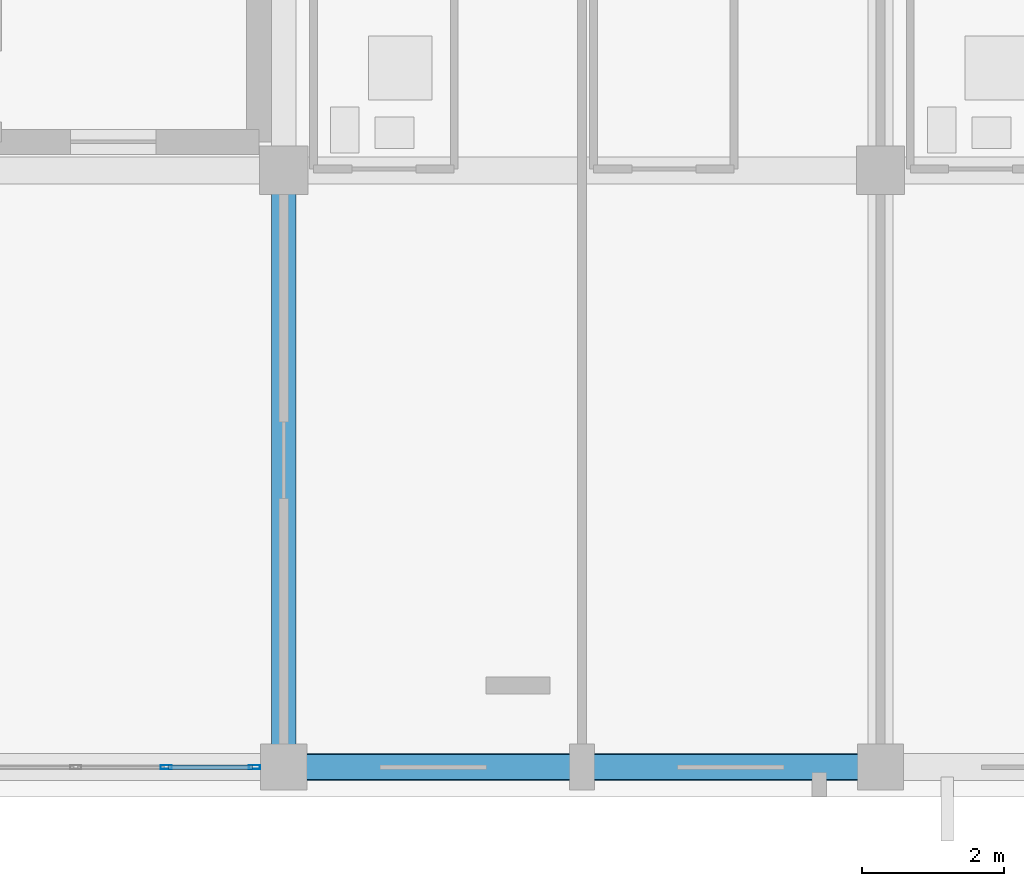
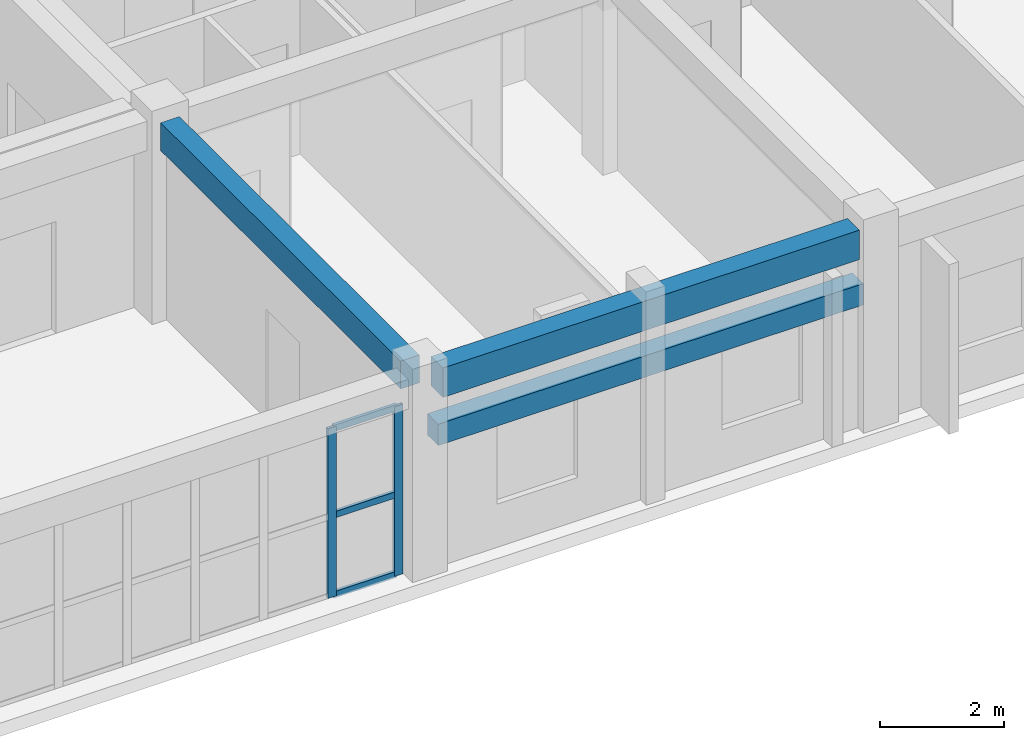
# One storey, part 12 of 90: 5 members, 3 beams, 1 element without a shape of its own.
"""IFC4 building model written with IfcOpenShell, lengths in metres."""

from ifc_helpers import new_model, si_unit, direction, frame, origin, origin_2d, place, context, subcontext, project, spatial, rectangle, hollow_rectangle, extrude, material, layer, layer_set, material_profile, profile_set, type_object, element, aggregate, save


model = new_model("IFC4")

# Units and contexts
model_context = context("Model", 3, precision=1e-05, world=origin(), true_north=direction((0.0, 1.0)))
body_context = subcontext(model_context, "Body", "Model", "MODEL_VIEW")
ifc_project = project(units=[si_unit("LENGTHUNIT", "METRE"), si_unit("AREAUNIT", "SQUARE_METRE"), si_unit("VOLUMEUNIT", "CUBIC_METRE"), si_unit("PLANEANGLEUNIT", "RADIAN"), si_unit("MASSUNIT", "GRAM", prefix="KILO")], contexts=[model_context])

# Site, building, storey
site_placement = place(None, origin())
site = spatial("IfcSite", under=ifc_project, at=site_placement, CompositionType="ELEMENT")
building_placement = place(site_placement, origin())
building = spatial("IfcBuilding", under=site, at=building_placement, Name="Trelvath General Hospital", CompositionType="ELEMENT")
storey_placement = place(building_placement, frame((0.0, 0.0, 20.39990234375)))
storey = spatial("IfcBuildingStorey", under=building, at=storey_placement, Name="L05", CompositionType="ELEMENT", Elevation=20.39990234375)

# Beams
ifc_material_1 = material(Name="Concrete C35/45", Category="concrete")
ifc_material_profile_1 = material_profile(ifc_material_1, rectangle(XDim=0.35009765625, YDim=0.550048828125, at=origin_2d()), Name="RCB350x550")
ifc_profile_set_1 = profile_set([ifc_material_profile_1], Name="Concrete C35/45")
beam_type_1 = type_object("IfcBeamType", Name="Beam RC350x550", PredefinedType="BEAM", material=ifc_profile_set_1)
beam_1_placement = place(storey_placement, frame((50.39990234375, 0.320068359375, 3.64501953125), z_axis=(0.0, 1.0, 0.0), x_axis=(-1.0, 0.0, 0.0)))
element("IfcBeam", 1, at=beam_1_placement, inside=storey, type_object=beam_type_1, Name="Grid Beam BY-506A", PredefinedType="BEAM", context=body_context, shape_type="SweptSolid", body=[
    extrude(rectangle(XDim=0.35009765625, YDim=0.550048828125, at=origin_2d()), origin(), (0.0, 0.0, 1.0), 7.744873046875),
])
ifc_material_2 = material(Name="Concrete C35/45", Category="concrete")
ifc_material_profile_2 = material_profile(ifc_material_2, rectangle(XDim=0.3798828125, YDim=0.580078125, at=origin_2d()), Name="RCB380x580")
ifc_profile_set_2 = profile_set([ifc_material_profile_2], Name="Concrete C35/45")
beam_type_2 = type_object("IfcBeamType", Name="Beam RC380x580", PredefinedType="BEAM", material=ifc_profile_set_2)
beam_2_placement = place(storey_placement, frame((50.719970703125, 0.0, 3.630126953125), z_axis=(1.0, 0.0, 0.0), x_axis=(0.0, 1.0, 0.0)))
element("IfcBeam", 2, at=beam_2_placement, inside=storey, type_object=beam_type_2, Name="Grid Beam BX-506A", PredefinedType="BEAM", context=body_context, shape_type="SweptSolid", body=[
    extrude(rectangle(XDim=0.3798828125, YDim=0.580078125, at=origin_2d()), origin(), (0.0, 0.0, 1.0), 7.760009765625),
])

# Curtain wall, members
ifc_material_3 = material(Name="Anodised aluminium and low-E glass", Category="aluminium")
ifc_layer = layer(ifc_material_3, 0.14990234375)
ifc_layer_set = layer_set([ifc_layer], Name="Anodised aluminium and low-E glass")
curtain_wall_type = type_object("IfcCurtainWallType", Name="CW Facade 764 334 15", PredefinedType="USERDEFINED", material=ifc_layer_set)
curtain_wall_placement = place(storey_placement, origin())
curtain_wall = element("IfcCurtainWall", 3, at=curtain_wall_placement, inside=storey, type_object=curtain_wall_type, Name="Facade Curtain Wall CW-068", ObjectType="Unitised Glazed Curtain Wall", PredefinedType="USERDEFINED")
ifc_material_4 = material(Name="Anodised aluminium", Category="aluminium")
ifc_material_profile_3 = material_profile(ifc_material_4, hollow_rectangle(XDim=0.06005859375, YDim=0.159912109375, WallThickness=0.00390625, at=origin_2d()), Name="RHS60x160x4")
ifc_profile_set_3 = profile_set([ifc_material_profile_3], Name="Anodised aluminium")
member_type_1 = type_object("IfcMemberType", Name="CurtainMullion 60x160", PredefinedType="MULLION", material=ifc_profile_set_3)
member_1_placement = place(storey_placement, frame((49.989990234375, 0.0, 0.0), z_axis=(0.0, 0.0, 1.0), x_axis=(0.0, -1.0, 0.0)))
member_1 = element("IfcMember", 4, at=member_1_placement, type_object=member_type_1, Name="CW-068 mullion 1", PredefinedType="MULLION", context=body_context, shape_type="SweptSolid", body=[
    extrude(hollow_rectangle(XDim=0.06005859375, YDim=0.159912109375, WallThickness=0.00390625, at=origin_2d()), origin(), (0.0, 0.0, 1.0), 3.340087890625),
])
member_2_placement = place(storey_placement, frame((48.74658203125, 0.0, 0.0), z_axis=(0.0, 0.0, 1.0), x_axis=(0.0, -1.0, 0.0)))
member_2 = element("IfcMember", 5, at=member_2_placement, type_object=member_type_1, Name="CW-068 mullion 2", PredefinedType="MULLION", context=body_context, shape_type="SweptSolid", body=[
    extrude(hollow_rectangle(XDim=0.06005859375, YDim=0.159912109375, WallThickness=0.00390625, at=origin_2d()), origin(), (0.0, 0.0, 1.0), 3.340087890625),
])
ifc_material_5 = material(Name="Anodised aluminium", Category="aluminium")
ifc_material_profile_4 = material_profile(ifc_material_5, hollow_rectangle(XDim=0.06005859375, YDim=0.125, WallThickness=0.00390625, at=origin_2d()), Name="RHS60x125x4")
ifc_profile_set_4 = profile_set([ifc_material_profile_4], Name="Anodised aluminium")
member_type_2 = type_object("IfcMemberType", Name="CurtainTransom 60x125", PredefinedType="USERDEFINED", material=ifc_profile_set_4)
member_3_placement = place(storey_placement, frame((49.9599609375, 0.0, 0.030029296875), z_axis=(-1.0, 0.0, 0.0), x_axis=(0.0, -1.0, 0.0)))
member_3 = element("IfcMember", 6, at=member_3_placement, type_object=member_type_2, Name="CW-068 transom 1.1", ObjectType="TRANSOM", PredefinedType="USERDEFINED", context=body_context, shape_type="SweptSolid", body=[
    extrude(hollow_rectangle(XDim=0.06005859375, YDim=0.125, WallThickness=0.00390625, at=origin_2d()), origin(), (0.0, 0.0, 1.0), 1.183349609375),
])
member_4_placement = place(storey_placement, frame((49.9599609375, 0.0, 1.60302734375), z_axis=(-1.0, 0.0, 0.0), x_axis=(0.0, -1.0, 0.0)))
member_4 = element("IfcMember", 7, at=member_4_placement, type_object=member_type_2, Name="CW-068 transom 1.2", ObjectType="TRANSOM", PredefinedType="USERDEFINED", context=body_context, shape_type="SweptSolid", body=[
    extrude(hollow_rectangle(XDim=0.06005859375, YDim=0.125, WallThickness=0.00390625, at=origin_2d()), origin(), (0.0, 0.0, 1.0), 1.183349609375),
])
member_5_placement = place(storey_placement, frame((49.9599609375, 0.0, 3.31005859375), z_axis=(-1.0, 0.0, 0.0), x_axis=(0.0, -1.0, 0.0)))
member_5 = element("IfcMember", 8, at=member_5_placement, type_object=member_type_2, Name="CW-068 transom 1.3", ObjectType="TRANSOM", PredefinedType="USERDEFINED", context=body_context, shape_type="SweptSolid", body=[
    extrude(hollow_rectangle(XDim=0.06005859375, YDim=0.125, WallThickness=0.00390625, at=origin_2d()), origin(), (0.0, 0.0, 1.0), 1.183349609375),
])
aggregate(curtain_wall, [member_1, member_2, member_3, member_4, member_5])

# Beam
ifc_material_6 = material(Name="Precast concrete C40/50", Category="concrete")
ifc_material_profile_5 = material_profile(ifc_material_6, rectangle(XDim=0.35009765625, YDim=0.419921875, at=origin_2d()), Name="PCL350x420")
ifc_profile_set_5 = profile_set([ifc_material_profile_5], Name="Precast concrete C40/50")
beam_type_3 = type_object("IfcBeamType", Name="Lintel PC350x420", PredefinedType="LINTEL", material=ifc_profile_set_5)
beam_3_placement = place(storey_placement, frame((58.56005859375, 0.0, 2.6201171875), z_axis=(-1.0, 0.0, 0.0), x_axis=(0.0, -1.0, 0.0)))
element("IfcBeam", 9, at=beam_3_placement, inside=storey, type_object=beam_type_3, Name="Precast Window Brow Lintel L05-504", PredefinedType="LINTEL", context=body_context, shape_type="SweptSolid", body=[
    extrude(rectangle(XDim=0.35009765625, YDim=0.419921875, at=origin_2d()), origin(), (0.0, 0.0, 1.0), 7.920166015625),
])

save(model, "model.ifc")
